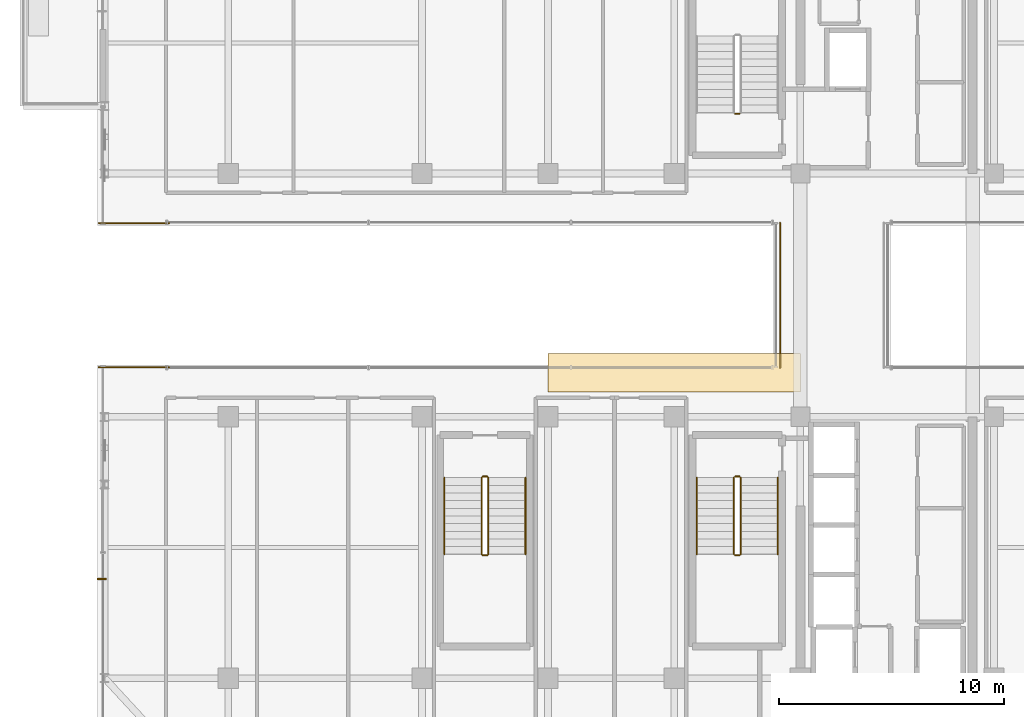
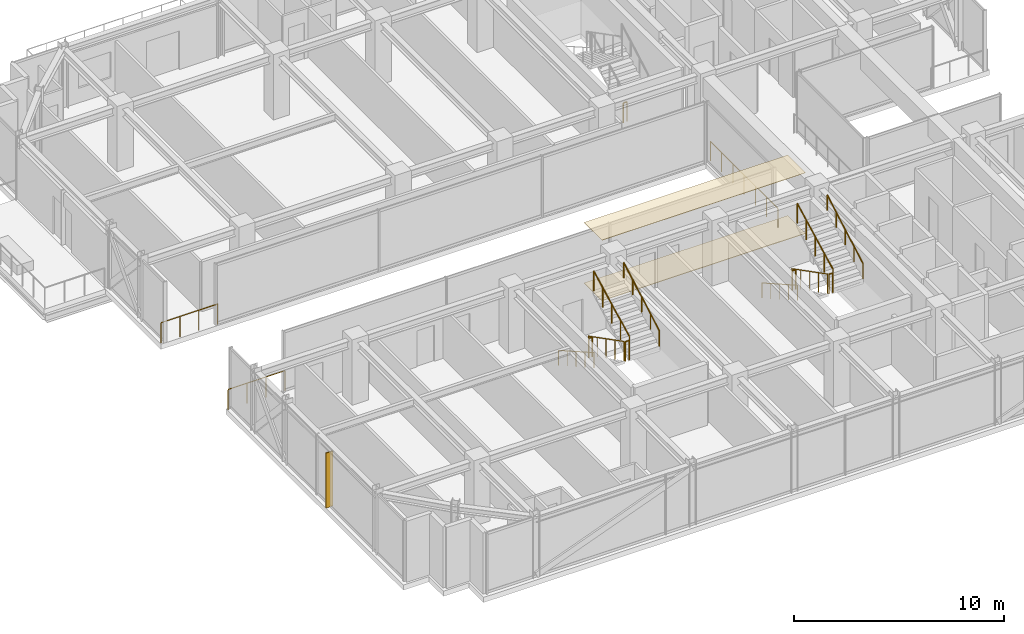
# One storey, part 38 of 41: 16 railings, 2 coverings, 1 shading device.
"""IFC4 building model written with IfcOpenShell, lengths in metres."""

from ifc_helpers import new_model, si_unit, direction, frame, origin, origin_2d, place, context, subcontext, project, spatial, polyline, rectangle, circle, outline, extrude, source, transform, mapped, material, layer, layer_set, type_object, element, save


model = new_model("IFC4")

# Units and contexts
model_context = context("Model", 3, precision=1e-05, world=origin(), true_north=direction((0.0, 1.0)))
body_context = subcontext(model_context, "Body", "Model", "MODEL_VIEW")
ifc_project = project(units=[si_unit("LENGTHUNIT", "METRE"), si_unit("AREAUNIT", "SQUARE_METRE"), si_unit("VOLUMEUNIT", "CUBIC_METRE"), si_unit("PLANEANGLEUNIT", "RADIAN"), si_unit("MASSUNIT", "GRAM", prefix="KILO")], contexts=[model_context])

# Site, building, storey
site_placement = place(None, origin())
site = spatial("IfcSite", under=ifc_project, at=site_placement, CompositionType="ELEMENT")
building_placement = place(site_placement, origin())
building = spatial("IfcBuilding", under=site, at=building_placement, Name="Nahalor Promenade Grand Hotel", CompositionType="ELEMENT")
storey_placement = place(building_placement, frame((0.0, 0.0, 304.199951171875)))
storey = spatial("IfcBuildingStorey", under=building, at=storey_placement, Name="L78", CompositionType="ELEMENT", Elevation=304.199951171875)

# Covering
ifc_material_1 = material(Name="Acoustic Mineral Gypsum", Category="gypsum")
ifc_layer_1 = layer(ifc_material_1, 0.02490234375)
ifc_layer_set_1 = layer_set([ifc_layer_1], Name="Acoustic Mineral Gypsum")
covering_type_1 = type_object("IfcCoveringType", Name="Acoustic Suspended Ceiling Tile", PredefinedType="CEILING", material=ifc_layer_set_1)
covering_1_placement = place(storey_placement, frame((0.0, 0.0, 3.525146484375)))
element("IfcCovering", 1, at=covering_1_placement, inside=storey, type_object=covering_type_1, Name="CV-CEIL-L78", PredefinedType="CEILING", context=body_context, shape_type="SweptSolid", body=[
    extrude(outline(polyline([(-2.800048828125, -4.300048828125), (8.39990234375, -4.300048828125), (8.39990234375, -2.60009765625), (-2.800048828125, -2.60009765625), (-2.800048828125, -4.300048828125)])), origin(), (0.0, 0.0, 1.0), 0.02490234375),
])

# Railings
ifc_material_2 = material(Name="Anodised Bronze Aluminium EN AW-6063 T6", Category="aluminium")
railing_type_1 = type_object("IfcRailingType", Name="Bronze Balcony Guardrail 1200 mm", PredefinedType="GUARDRAIL", material=ifc_material_2)
for number, where, name in (
    (2, (-22.739990234375, -3.199951171875, 0.0), "L78 Oculus Void Edge Guardrail WS"),
    (3, (-22.739990234375, 3.199951171875, 0.0), "L78 Oculus Void Edge Guardrail WN"),
):
    element("IfcRailing", number, at=place(storey_placement, frame(where)), inside=storey, type_object=railing_type_1, Name=name, PredefinedType="GUARDRAIL", context=body_context, shape_type="SweptSolid", body=[
        extrude(circle(Radius=0.024048, at=origin_2d()), frame((0.0, 0.0, 1.17578125), z_axis=(1.0, 0.0, 0.0), x_axis=(0.0, 1.0, 0.0)), (0.0, 0.0, 1.0), 3.119873046875),
        extrude(circle(Radius=0.020996, at=origin_2d()), origin(), (0.0, 0.0, 1.0), 1.14990234375),
        extrude(circle(Radius=0.020996, at=origin_2d()), frame((1.0400390625, 0.0, 0.0)), (0.0, 0.0, 1.0), 1.14990234375),
        extrude(circle(Radius=0.020996, at=origin_2d()), frame((2.079833984375, 0.0, 0.0)), (0.0, 0.0, 1.0), 1.14990234375),
        extrude(circle(Radius=0.020996, at=origin_2d()), frame((3.119873046875, 0.0, 0.0)), (0.0, 0.0, 1.0), 1.14990234375),
    ])
railing_type_2 = type_object("IfcRailingType", Name="Bronze Sky Balustrade 1150 mm", PredefinedType="BALUSTRADE", material=ifc_material_2)
railing_1_placement = place(storey_placement, frame((7.5, -3.219970703125, 0.0)))
element("IfcRailing", 4, at=railing_1_placement, inside=storey, type_object=railing_type_2, Name="BL-L78-BRG-W", PredefinedType="BALUSTRADE", context=body_context, shape_type="SweptSolid", body=[
    extrude(circle(Radius=0.024048, at=origin_2d()), frame((0.0, 0.0, 1.1259765625), z_axis=(0.0, 1.0, 0.0), x_axis=(-1.0, 0.0, 0.0)), (0.0, 0.0, 1.0), 6.43994140625),
    extrude(circle(Radius=0.020996, at=origin_2d()), origin(), (0.0, 0.0, 1.0), 1.099853515625),
    extrude(circle(Radius=0.020996, at=origin_2d()), frame((0.0, 1.0732421875, 0.0)), (0.0, 0.0, 1.0), 1.099853515625),
    extrude(circle(Radius=0.020996, at=origin_2d()), frame((0.0, 2.146728515625, 0.0)), (0.0, 0.0, 1.0), 1.099853515625),
    extrude(circle(Radius=0.020996, at=origin_2d()), frame((0.0, 3.219970703125, 0.0)), (0.0, 0.0, 1.0), 1.099853515625),
    extrude(circle(Radius=0.020996, at=origin_2d()), frame((0.0, 4.293212890625, 0.0)), (0.0, 0.0, 1.0), 1.099853515625),
    extrude(circle(Radius=0.020996, at=origin_2d()), frame((0.0, 5.36669921875, 0.0)), (0.0, 0.0, 1.0), 1.099853515625),
    extrude(circle(Radius=0.020996, at=origin_2d()), frame((0.0, 6.43994140625, 0.0)), (0.0, 0.0, 1.0), 1.099853515625),
])

# Covering
ifc_material_3 = material(Name="Jerusalem Limestone Flooring", Category="masonry")
ifc_layer_2 = layer(ifc_material_3, 0.030029296875)
ifc_layer_set_2 = layer_set([ifc_layer_2], Name="Jerusalem Limestone Flooring")
covering_type_2 = type_object("IfcCoveringType", Name="Honed Limestone Floor Finish", PredefinedType="FLOORING", material=ifc_layer_set_2)
covering_2_placement = place(storey_placement, origin())
element("IfcCovering", 5, at=covering_2_placement, inside=storey, type_object=covering_type_2, Name="CV-FLOR-L78", PredefinedType="FLOORING", context=body_context, shape_type="SweptSolid", body=[
    extrude(outline(polyline([(-2.800048828125, -4.300048828125), (8.39990234375, -4.300048828125), (8.39990234375, -2.60009765625), (-2.800048828125, -2.60009765625), (-2.800048828125, -4.300048828125)])), origin(), (0.0, 0.0, 1.0), 0.030029296875),
])

# Railings
ifc_material_4 = material(Name="Steel S355JR", Category="steel")
railing_type_3 = type_object("IfcRailingType", Name="Steel Stair Guardrail 1150 mm", PredefinedType="GUARDRAIL", material=ifc_material_4)
railing_2_placement = place(storey_placement, frame((5.699951171875, 8.050048828125, 0.0)))
element("IfcRailing", 6, at=railing_2_placement, inside=storey, type_object=railing_type_3, Name="L78 ST1 stair guard 4", PredefinedType="GUARDRAIL", context=body_context, shape_type="SweptSolid", body=[
    extrude(circle(Radius=0.024048, at=origin_2d()), frame((0.0, 0.0, 1.1259765625), z_axis=(-1.0, 0.0, 0.0), x_axis=(0.0, -1.0, 0.0)), (0.0, 0.0, 1.0), 0.199951171875),
    extrude(circle(Radius=0.020996, at=origin_2d()), origin(), (0.0, 0.0, 1.0), 1.099853515625),
    extrude(circle(Radius=0.020996, at=origin_2d()), frame((-0.199951171875, 0.0, 0.0)), (0.0, 0.0, 1.0), 1.099853515625),
])
railing_3_placement = place(storey_placement, frame((5.449951171875, -8.10009765625, 0.175048828125)))
element("IfcRailing", 7, at=railing_3_placement, inside=storey, type_object=railing_type_3, Name="L78 ST2 stair guard 1", PredefinedType="GUARDRAIL", context=body_context, shape_type="SweptSolid", body=[
    extrude(circle(Radius=0.024048, at=origin_2d()), frame((0.0, 0.0, 1.1259765625), z_axis=(0.0, -0.889130461562, 0.457653823673), x_axis=(1.0, 0.0, 0.0)), (0.0, 0.0, 1.0), 3.82373046875),
    extrude(circle(Radius=0.020996, at=origin_2d()), origin(), (0.0, 0.0, 1.0), 1.099853515625),
    extrude(circle(Radius=0.020996, at=origin_2d()), frame((0.0, -0.85009765625, 0.4375)), (0.0, 0.0, 1.0), 1.099853515625),
    extrude(circle(Radius=0.020996, at=origin_2d()), frame((0.0, -1.699951171875, 0.875)), (0.0, 0.0, 1.0), 1.099853515625),
    extrude(circle(Radius=0.020996, at=origin_2d()), frame((0.0, -2.5498046875, 1.3125)), (0.0, 0.0, 1.0), 1.099853515625),
    extrude(circle(Radius=0.020996, at=origin_2d()), frame((0.0, -3.39990234375, 1.75)), (0.0, 0.0, 1.0), 1.099853515625),
])
railing_4_placement = place(storey_placement, frame((5.5, -11.550048828125, 1.925048828125)))
element("IfcRailing", 8, at=railing_4_placement, inside=storey, type_object=railing_type_3, Name="L78 ST2 stair guard 2", PredefinedType="GUARDRAIL", context=body_context, shape_type="SweptSolid", body=[
    extrude(circle(Radius=0.024048, at=origin_2d()), frame((0.0, 0.0, 1.1259765625), z_axis=(1.0, 0.0, 0.0), x_axis=(0.0, 1.0, 0.0)), (0.0, 0.0, 1.0), 0.199951171875),
    extrude(circle(Radius=0.020996, at=origin_2d()), origin(), (0.0, 0.0, 1.0), 1.099853515625),
    extrude(circle(Radius=0.020996, at=origin_2d()), frame((0.199951171875, 0.0, 0.0)), (0.0, 0.0, 1.0), 1.099853515625),
])
railing_5_placement = place(storey_placement, frame((5.75, -11.5, 2.10009765625)))
element("IfcRailing", 9, at=railing_5_placement, inside=storey, type_object=railing_type_3, Name="L78 ST2 stair guard 3", PredefinedType="GUARDRAIL", context=body_context, shape_type="SweptSolid", body=[
    extrude(circle(Radius=0.024048, at=origin_2d()), frame((0.0, 0.0, 1.1259765625), z_axis=(0.0, 0.889130461562, 0.457653823673), x_axis=(-1.0, 0.0, 0.0)), (0.0, 0.0, 1.0), 3.82373046875),
    extrude(circle(Radius=0.020996, at=origin_2d()), origin(), (0.0, 0.0, 1.0), 1.099853515625),
    extrude(circle(Radius=0.020996, at=origin_2d()), frame((0.0, 0.85009765625, 0.4375)), (0.0, 0.0, 1.0), 1.099853515625),
    extrude(circle(Radius=0.020996, at=origin_2d()), frame((0.0, 1.699951171875, 0.875)), (0.0, 0.0, 1.0), 1.099853515625),
    extrude(circle(Radius=0.020996, at=origin_2d()), frame((0.0, 2.5498046875, 1.3125)), (0.0, 0.0, 1.0), 1.099853515625),
    extrude(circle(Radius=0.020996, at=origin_2d()), frame((0.0, 3.39990234375, 1.75)), (0.0, 0.0, 1.0), 1.099853515625),
])
railing_6_placement = place(storey_placement, frame((5.5, -8.050048828125, 0.0)))
element("IfcRailing", 10, at=railing_6_placement, inside=storey, type_object=railing_type_3, Name="L78 ST2 stair guard 4", PredefinedType="GUARDRAIL", context=body_context, shape_type="SweptSolid", body=[
    extrude(circle(Radius=0.024048, at=origin_2d()), frame((0.0, 0.0, 1.1259765625), z_axis=(1.0, 0.0, 0.0), x_axis=(0.0, 1.0, 0.0)), (0.0, 0.0, 1.0), 0.199951171875),
    extrude(circle(Radius=0.020996, at=origin_2d()), origin(), (0.0, 0.0, 1.0), 1.099853515625),
    extrude(circle(Radius=0.020996, at=origin_2d()), frame((0.199951171875, 0.0, 0.0)), (0.0, 0.0, 1.0), 1.099853515625),
])
railing_7_placement = place(storey_placement, frame((-5.75, -8.10009765625, 0.175048828125)))
element("IfcRailing", 11, at=railing_7_placement, inside=storey, type_object=railing_type_3, Name="L78 ST3 stair guard 1", PredefinedType="GUARDRAIL", context=body_context, shape_type="SweptSolid", body=[
    extrude(circle(Radius=0.024048, at=origin_2d()), frame((0.0, 0.0, 1.1259765625), z_axis=(0.0, -0.889130461562, 0.457653823673), x_axis=(1.0, 0.0, 0.0)), (0.0, 0.0, 1.0), 3.82373046875),
    extrude(circle(Radius=0.020996, at=origin_2d()), origin(), (0.0, 0.0, 1.0), 1.099853515625),
    extrude(circle(Radius=0.020996, at=origin_2d()), frame((0.0, -0.85009765625, 0.4375)), (0.0, 0.0, 1.0), 1.099853515625),
    extrude(circle(Radius=0.020996, at=origin_2d()), frame((0.0, -1.699951171875, 0.875)), (0.0, 0.0, 1.0), 1.099853515625),
    extrude(circle(Radius=0.020996, at=origin_2d()), frame((0.0, -2.5498046875, 1.3125)), (0.0, 0.0, 1.0), 1.099853515625),
    extrude(circle(Radius=0.020996, at=origin_2d()), frame((0.0, -3.39990234375, 1.75)), (0.0, 0.0, 1.0), 1.099853515625),
])
railing_8_placement = place(storey_placement, frame((-5.699951171875, -11.550048828125, 1.925048828125)))
element("IfcRailing", 12, at=railing_8_placement, inside=storey, type_object=railing_type_3, Name="L78 ST3 stair guard 2", PredefinedType="GUARDRAIL", context=body_context, shape_type="SweptSolid", body=[
    extrude(circle(Radius=0.024048, at=origin_2d()), frame((0.0, 0.0, 1.1259765625), z_axis=(1.0, 0.0, 0.0), x_axis=(0.0, 1.0, 0.0)), (0.0, 0.0, 1.0), 0.199951171875),
    extrude(circle(Radius=0.020996, at=origin_2d()), origin(), (0.0, 0.0, 1.0), 1.099853515625),
    extrude(circle(Radius=0.020996, at=origin_2d()), frame((0.199951171875, 0.0, 0.0)), (0.0, 0.0, 1.0), 1.099853515625),
])
railing_9_placement = place(storey_placement, frame((-5.449951171875, -11.5, 2.10009765625)))
element("IfcRailing", 13, at=railing_9_placement, inside=storey, type_object=railing_type_3, Name="L78 ST3 stair guard 3", PredefinedType="GUARDRAIL", context=body_context, shape_type="SweptSolid", body=[
    extrude(circle(Radius=0.024048, at=origin_2d()), frame((0.0, 0.0, 1.1259765625), z_axis=(0.0, 0.889130461562, 0.457653823673), x_axis=(-1.0, 0.0, 0.0)), (0.0, 0.0, 1.0), 3.82373046875),
    extrude(circle(Radius=0.020996, at=origin_2d()), origin(), (0.0, 0.0, 1.0), 1.099853515625),
    extrude(circle(Radius=0.020996, at=origin_2d()), frame((0.0, 0.85009765625, 0.4375)), (0.0, 0.0, 1.0), 1.099853515625),
    extrude(circle(Radius=0.020996, at=origin_2d()), frame((0.0, 1.699951171875, 0.875)), (0.0, 0.0, 1.0), 1.099853515625),
    extrude(circle(Radius=0.020996, at=origin_2d()), frame((0.0, 2.5498046875, 1.3125)), (0.0, 0.0, 1.0), 1.099853515625),
    extrude(circle(Radius=0.020996, at=origin_2d()), frame((0.0, 3.39990234375, 1.75)), (0.0, 0.0, 1.0), 1.099853515625),
])
railing_10_placement = place(storey_placement, frame((-5.699951171875, -8.050048828125, 0.0)))
element("IfcRailing", 14, at=railing_10_placement, inside=storey, type_object=railing_type_3, Name="L78 ST3 stair guard 4", PredefinedType="GUARDRAIL", context=body_context, shape_type="SweptSolid", body=[
    extrude(circle(Radius=0.024048, at=origin_2d()), frame((0.0, 0.0, 1.1259765625), z_axis=(1.0, 0.0, 0.0), x_axis=(0.0, 1.0, 0.0)), (0.0, 0.0, 1.0), 0.199951171875),
    extrude(circle(Radius=0.020996, at=origin_2d()), origin(), (0.0, 0.0, 1.0), 1.099853515625),
    extrude(circle(Radius=0.020996, at=origin_2d()), frame((0.199951171875, 0.0, 0.0)), (0.0, 0.0, 1.0), 1.099853515625),
])
railing_type_4 = type_object("IfcRailingType", Name="Steel Stair Handrail 900 mm", PredefinedType="HANDRAIL", material=ifc_material_4)
railing_11_placement = place(storey_placement, frame((3.800048828125, -8.10009765625, 0.175048828125)))
element("IfcRailing", 15, at=railing_11_placement, inside=storey, type_object=railing_type_4, Name="L78 ST2 stair handrail 1", PredefinedType="HANDRAIL", context=body_context, shape_type="SweptSolid", body=[
    extrude(circle(Radius=0.024048, at=origin_2d()), frame((0.0, 0.0, 0.8759765625), z_axis=(0.0, -0.870193670192, 0.492709829776), x_axis=(1.0, 0.0, 0.0)), (0.0, 0.0, 1.0), 3.906982421875),
    extrude(circle(Radius=0.020996, at=origin_2d()), origin(), (0.0, 0.0, 1.0), 0.849853515625),
    extrude(circle(Radius=0.020996, at=origin_2d()), frame((0.0, -0.85009765625, 0.481201171875)), (0.0, 0.0, 1.0), 0.849853515625),
    extrude(circle(Radius=0.020996, at=origin_2d()), frame((0.0, -1.699951171875, 0.96240234375)), (0.0, 0.0, 1.0), 0.849853515625),
    extrude(circle(Radius=0.020996, at=origin_2d()), frame((0.0, -2.5498046875, 1.44384765625)), (0.0, 0.0, 1.0), 0.849853515625),
    extrude(circle(Radius=0.020996, at=origin_2d()), frame((0.0, -3.39990234375, 1.925048828125)), (0.0, 0.0, 1.0), 0.849853515625),
])
railing_12_placement = place(storey_placement, frame((7.39990234375, -11.5, 2.10009765625)))
element("IfcRailing", 16, at=railing_12_placement, inside=storey, type_object=railing_type_4, Name="L78 ST2 stair handrail 2", PredefinedType="HANDRAIL", context=body_context, shape_type="SweptSolid", body=[
    extrude(circle(Radius=0.024048, at=origin_2d()), frame((0.0, 0.0, 0.8759765625), z_axis=(0.0, 0.870193670192, 0.492709829776), x_axis=(-1.0, 0.0, 0.0)), (0.0, 0.0, 1.0), 3.906982421875),
    extrude(circle(Radius=0.020996, at=origin_2d()), origin(), (0.0, 0.0, 1.0), 0.849853515625),
    extrude(circle(Radius=0.020996, at=origin_2d()), frame((0.0, 0.85009765625, 0.481201171875)), (0.0, 0.0, 1.0), 0.849853515625),
    extrude(circle(Radius=0.020996, at=origin_2d()), frame((0.0, 1.699951171875, 0.96240234375)), (0.0, 0.0, 1.0), 0.849853515625),
    extrude(circle(Radius=0.020996, at=origin_2d()), frame((0.0, 2.5498046875, 1.44384765625)), (0.0, 0.0, 1.0), 0.849853515625),
    extrude(circle(Radius=0.020996, at=origin_2d()), frame((0.0, 3.39990234375, 1.925048828125)), (0.0, 0.0, 1.0), 0.849853515625),
])
railing_13_placement = place(storey_placement, frame((-7.39990234375, -8.10009765625, 0.175048828125)))
element("IfcRailing", 17, at=railing_13_placement, inside=storey, type_object=railing_type_4, Name="L78 ST3 stair handrail 1", PredefinedType="HANDRAIL", context=body_context, shape_type="SweptSolid", body=[
    extrude(circle(Radius=0.024048, at=origin_2d()), frame((0.0, 0.0, 0.8759765625), z_axis=(0.0, -0.870193670192, 0.492709829776), x_axis=(1.0, 0.0, 0.0)), (0.0, 0.0, 1.0), 3.906982421875),
    extrude(circle(Radius=0.020996, at=origin_2d()), origin(), (0.0, 0.0, 1.0), 0.849853515625),
    extrude(circle(Radius=0.020996, at=origin_2d()), frame((0.0, -0.85009765625, 0.481201171875)), (0.0, 0.0, 1.0), 0.849853515625),
    extrude(circle(Radius=0.020996, at=origin_2d()), frame((0.0, -1.699951171875, 0.96240234375)), (0.0, 0.0, 1.0), 0.849853515625),
    extrude(circle(Radius=0.020996, at=origin_2d()), frame((0.0, -2.5498046875, 1.44384765625)), (0.0, 0.0, 1.0), 0.849853515625),
    extrude(circle(Radius=0.020996, at=origin_2d()), frame((0.0, -3.39990234375, 1.925048828125)), (0.0, 0.0, 1.0), 0.849853515625),
])
railing_14_placement = place(storey_placement, frame((-3.800048828125, -11.5, 2.10009765625)))
element("IfcRailing", 18, at=railing_14_placement, inside=storey, type_object=railing_type_4, Name="L78 ST3 stair handrail 2", PredefinedType="HANDRAIL", context=body_context, shape_type="SweptSolid", body=[
    extrude(circle(Radius=0.024048, at=origin_2d()), frame((0.0, 0.0, 0.8759765625), z_axis=(0.0, 0.870193670192, 0.492709829776), x_axis=(-1.0, 0.0, 0.0)), (0.0, 0.0, 1.0), 3.906982421875),
    extrude(circle(Radius=0.020996, at=origin_2d()), origin(), (0.0, 0.0, 1.0), 0.849853515625),
    extrude(circle(Radius=0.020996, at=origin_2d()), frame((0.0, 0.85009765625, 0.481201171875)), (0.0, 0.0, 1.0), 0.849853515625),
    extrude(circle(Radius=0.020996, at=origin_2d()), frame((0.0, 1.699951171875, 0.96240234375)), (0.0, 0.0, 1.0), 0.849853515625),
    extrude(circle(Radius=0.020996, at=origin_2d()), frame((0.0, 2.5498046875, 1.44384765625)), (0.0, 0.0, 1.0), 0.849853515625),
    extrude(circle(Radius=0.020996, at=origin_2d()), frame((0.0, 3.39990234375, 1.925048828125)), (0.0, 0.0, 1.0), 0.849853515625),
])

# Shading device
ifc_layer_3 = layer(ifc_material_2, 0.06005859375)
ifc_layer_set_3 = layer_set([ifc_layer_3], Name="Anodised Bronze Aluminium EN AW-6063 T6")
shading_device_type = type_object("IfcShadingDeviceType", Name="Shade-SolarFin-Bronze", PredefinedType="JALOUSIE", material=ifc_layer_set_3)
shared_shape = source(origin(), body_context, "Body", "SweptSolid", [
    extrude(rectangle(XDim=0.3798828125, YDim=0.06005859375, at=origin_2d()), origin(), (0.0, 0.0, 1.0), 3.199951171875),
])
shading_device_placement = place(storey_placement, frame((-22.610107421875, -12.60009765625, 0.0), z_axis=(0.0, 0.0, 1.0), x_axis=(1.0, 0.0, 0.0)))
element("IfcShadingDevice", 19, at=shading_device_placement, inside=storey, type_object=shading_device_type, Name="JAL-L78-W1", PredefinedType="JALOUSIE", context=body_context, shape_type="MappedRepresentation", body=[
    mapped(shared_shape, transform((0.0, 0.0, 0.0), scale=1.0)),
])

save(model, "model.ifc")
